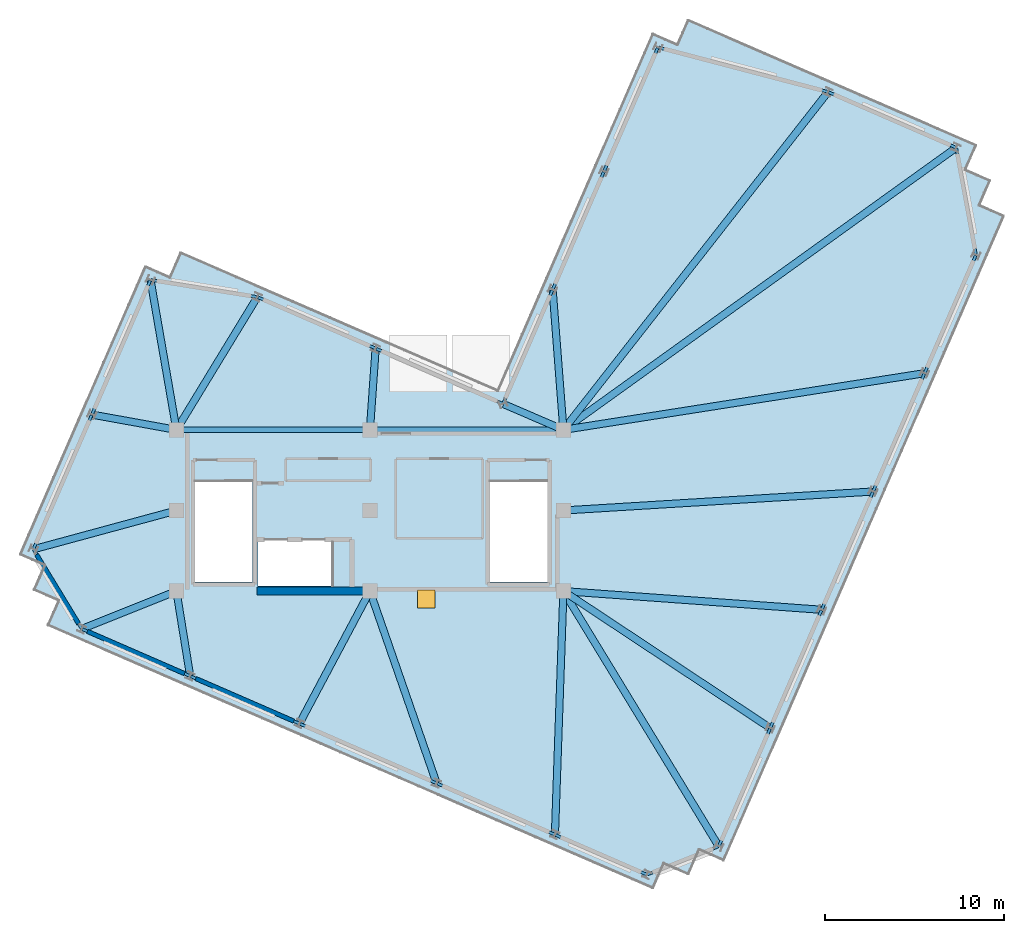
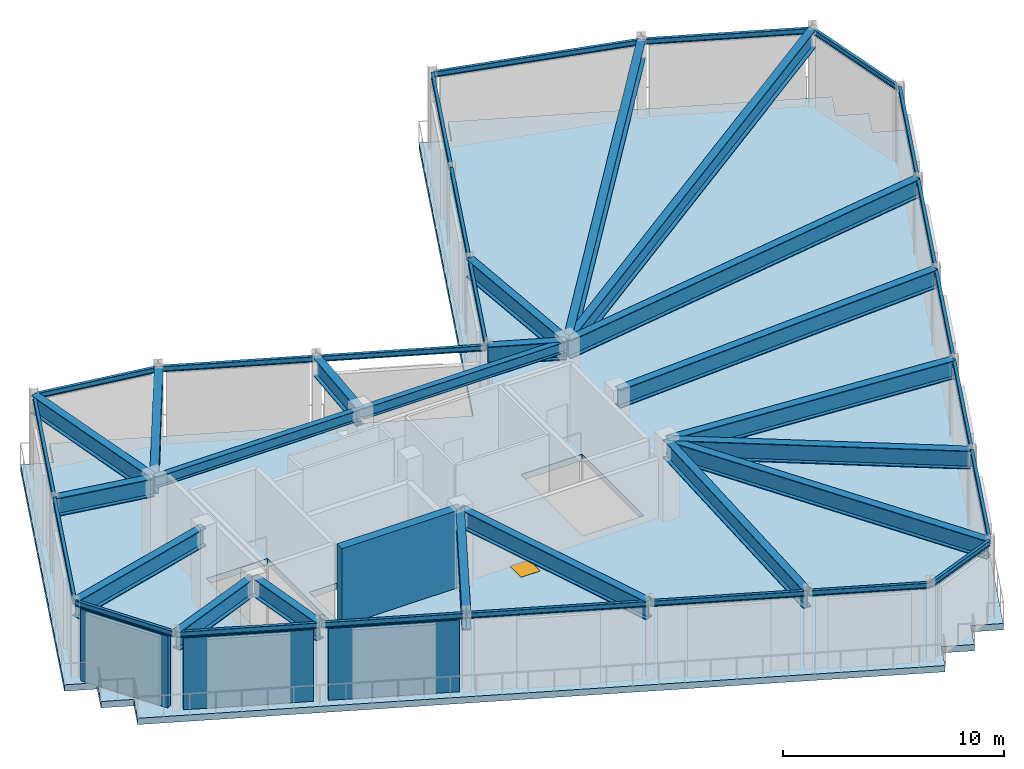
# One storey, part 4 of 7: 44 beams, 4 walls, 1 door, 1 slab, 1 opening.
"""IFC4 building model written with IfcOpenShell, lengths in metres."""

from ifc_helpers import new_model, si_unit, direction, frame, frame_2d, origin, origin_2d, place, context, subcontext, project, spatial, polyline, rectangle, i_section, outline, extrude, material, layer, layer_set, material_profile, profile_set, type_object, element, fill, save


model = new_model("IFC4")

# Units and contexts
model_context = context("Model", 3, precision=1e-05, world=origin(), true_north=direction((0.0, 1.0)))
body_context = subcontext(model_context, "Body", "Model", "MODEL_VIEW")
ifc_project = project(units=[si_unit("LENGTHUNIT", "METRE"), si_unit("AREAUNIT", "SQUARE_METRE"), si_unit("VOLUMEUNIT", "CUBIC_METRE"), si_unit("PLANEANGLEUNIT", "RADIAN"), si_unit("MASSUNIT", "GRAM", prefix="KILO")], contexts=[model_context])

# Site, building, storey
site_placement = place(None, origin())
site = spatial("IfcSite", under=ifc_project, at=site_placement, CompositionType="ELEMENT")
building_placement = place(site_placement, origin())
building = spatial("IfcBuilding", under=site, at=building_placement, Name="Gaonmaruhae Medical Tower", CompositionType="ELEMENT")
storey_placement = place(building_placement, frame((0.0, 0.0, 347.800048828125)))
storey = spatial("IfcBuildingStorey", under=building, at=storey_placement, Name="RF", CompositionType="ELEMENT", Elevation=347.800048828125)

# Beams
ifc_material_1 = material(Name="Steel SM420", Category="steel")
ifc_material_profile_1 = material_profile(ifc_material_1, i_section(OverallWidth=0.39990234375, OverallDepth=1.0, WebThickness=0.02197265625, FlangeThickness=0.035888671875, at=origin_2d()), Name="BH-1000x400x22x36")
ifc_profile_set_1 = profile_set([ifc_material_profile_1], Name="Steel SM420")
beam_type_1 = type_object("IfcBeamType", Name="BG-02 Refuge Floor Primary Girder (BH-1000x400x22x36)", PredefinedType="BEAM", material=ifc_profile_set_1)
beam_1_placement = place(storey_placement, frame((35.6259765625, 7.75732421875, 3.780029296875), z_axis=(0.520036625826, -0.854143961988, 0.0), x_axis=(0.854143961988, 0.520036625826, 0.0)))
element("IfcBeam", 1, at=beam_1_placement, inside=storey, type_object=beam_type_1, Name="RF Crown Radial Roof Girder S01", PredefinedType="BEAM", context=body_context, shape_type="SweptSolid", body=[
    extrude(i_section(OverallWidth=0.39990234375, OverallDepth=1.0, WebThickness=0.02197265625, FlangeThickness=0.035888671875, at=origin_2d()), origin(), (0.0, 0.0, 1.0), 16.58154296875),
])
beam_2_placement = place(storey_placement, frame((35.6416015625, 7.7724609375, 3.780029296875), z_axis=(0.833770161097, -0.552111690208, 0.0), x_axis=(0.552111690208, 0.833770161097, 0.0)))
element("IfcBeam", 2, at=beam_2_placement, inside=storey, type_object=beam_type_1, Name="RF Crown Radial Roof Girder S02", PredefinedType="BEAM", context=body_context, shape_type="SweptSolid", body=[
    extrude(i_section(OverallWidth=0.39990234375, OverallDepth=1.0, WebThickness=0.02197265625, FlangeThickness=0.035888671875, at=origin_2d()), origin(), (0.0, 0.0, 1.0), 13.748291015625),
])
beam_3_placement = place(storey_placement, frame((35.64990234375, 7.79638671875, 3.780029296875), z_axis=(0.997394062708, -0.072146265841, 0.0), x_axis=(0.072146265841, 0.997394062708, 0.0)))
element("IfcBeam", 3, at=beam_3_placement, inside=storey, type_object=beam_type_1, Name="RF Crown Radial Roof Girder S03", PredefinedType="BEAM", context=body_context, shape_type="SweptSolid", body=[
    extrude(i_section(OverallWidth=0.39990234375, OverallDepth=1.0, WebThickness=0.02197265625, FlangeThickness=0.035888671875, at=origin_2d()), origin(), (0.0, 0.0, 1.0), 14.354736328125),
])
beam_4_placement = place(storey_placement, frame((35.64990234375, 12.302978515625, 3.780029296875), z_axis=(0.998125311209, 0.061203456791, 0.0), x_axis=(-0.061203456791, 0.998125311209, 0.0)))
element("IfcBeam", 4, at=beam_4_placement, inside=storey, type_object=beam_type_1, Name="RF Crown Radial Roof Girder S04", PredefinedType="BEAM", context=body_context, shape_type="SweptSolid", body=[
    extrude(i_section(OverallWidth=0.39990234375, OverallDepth=1.0, WebThickness=0.02197265625, FlangeThickness=0.035888671875, at=origin_2d()), origin(), (0.0, 0.0, 1.0), 17.220458984375),
])
beam_5_placement = place(storey_placement, frame((35.6494140625, 16.807861328125, 3.780029296875), z_axis=(0.987915736395, 0.15499192812, 0.0), x_axis=(-0.15499192812, 0.987915736395, 0.0)))
element("IfcBeam", 5, at=beam_5_placement, inside=storey, type_object=beam_type_1, Name="RF Crown Radial Roof Girder S05", PredefinedType="BEAM", context=body_context, shape_type="SweptSolid", body=[
    extrude(i_section(OverallWidth=0.39990234375, OverallDepth=1.0, WebThickness=0.02197265625, FlangeThickness=0.035888671875, at=origin_2d()), origin(), (0.0, 0.0, 1.0), 20.3056640625),
])
beam_6_placement = place(storey_placement, frame((35.640625, 16.8291015625, 3.780029296875), z_axis=(0.812127869731, 0.583479496818, 0.0), x_axis=(-0.583479496818, 0.812127869731, 0.0)))
element("IfcBeam", 6, at=beam_6_placement, inside=storey, type_object=beam_type_1, Name="RF Crown Radial Roof Girder E01", PredefinedType="BEAM", context=body_context, shape_type="SweptSolid", body=[
    extrude(i_section(OverallWidth=0.39990234375, OverallDepth=1.0, WebThickness=0.02197265625, FlangeThickness=0.035888671875, at=origin_2d()), origin(), (0.0, 0.0, 1.0), 26.89794921875),
])
beam_7_placement = place(storey_placement, frame((35.630859375, 16.83935546875, 3.780029296875), z_axis=(0.616575305367, 0.78729593725, 0.0), x_axis=(-0.78729593725, 0.616575305367, 0.0)))
element("IfcBeam", 7, at=beam_7_placement, inside=storey, type_object=beam_type_1, Name="RF Crown Radial Roof Girder E02", PredefinedType="BEAM", context=body_context, shape_type="SweptSolid", body=[
    extrude(i_section(OverallWidth=0.39990234375, OverallDepth=1.0, WebThickness=0.02197265625, FlangeThickness=0.035888671875, at=origin_2d()), origin(), (0.0, 0.0, 1.0), 23.859130859375),
])
beam_8_placement = place(storey_placement, frame((35.59619140625, 16.849853515625, 3.780029296875), z_axis=(-0.076722992115, 0.997052447207, 0.0), x_axis=(-0.997052447207, -0.076722992115, 0.0)))
element("IfcBeam", 8, at=beam_8_placement, inside=storey, type_object=beam_type_1, Name="RF Crown Radial Roof Girder EN02", PredefinedType="BEAM", context=body_context, shape_type="SweptSolid", body=[
    extrude(i_section(OverallWidth=0.39990234375, OverallDepth=1.0, WebThickness=0.02197265625, FlangeThickness=0.035888671875, at=origin_2d()), origin(), (0.0, 0.0, 1.0), 7.751708984375),
])
beam_9_placement = place(storey_placement, frame((35.55419921875, 16.81982421875, 3.780029296875), z_axis=(-0.918259431029, 0.395979314266, 0.0), x_axis=(-0.395979314266, -0.918259431029, 0.0)))
element("IfcBeam", 9, at=beam_9_placement, inside=storey, type_object=beam_type_1, Name="RF Crown Radial Roof Girder KN01", PredefinedType="BEAM", context=body_context, shape_type="SweptSolid", body=[
    extrude(i_section(OverallWidth=0.39990234375, OverallDepth=1.0, WebThickness=0.02197265625, FlangeThickness=0.035888671875, at=origin_2d()), origin(), (0.0, 0.0, 1.0), 3.57421875),
])
beam_10_placement = place(storey_placement, frame((24.803466796875, 16.849853515625, 3.780029296875), z_axis=(0.070012845455, 0.997546089898, 0.0), x_axis=(-0.997546089898, 0.070012845455, 0.0)))
element("IfcBeam", 10, at=beam_10_placement, inside=storey, type_object=beam_type_1, Name="RF Crown Radial Roof Girder NE01", PredefinedType="BEAM", context=body_context, shape_type="SweptSolid", body=[
    extrude(i_section(OverallWidth=0.39990234375, OverallDepth=1.0, WebThickness=0.02197265625, FlangeThickness=0.035888671875, at=origin_2d()), origin(), (0.0, 0.0, 1.0), 4.45654296875),
])
beam_11_placement = place(storey_placement, frame((14.026123046875, 16.8427734375, 3.780029296875), z_axis=(0.520106658264, 0.854101319534, 0.0), x_axis=(-0.854101319534, 0.520106658264, 0.0)))
element("IfcBeam", 11, at=beam_11_placement, inside=storey, type_object=beam_type_1, Name="RF Crown Radial Roof Girder NE02", PredefinedType="BEAM", context=body_context, shape_type="SweptSolid", body=[
    extrude(i_section(OverallWidth=0.39990234375, OverallDepth=1.0, WebThickness=0.02197265625, FlangeThickness=0.035888671875, at=origin_2d()), origin(), (0.0, 0.0, 1.0), 8.5830078125),
])
beam_12_placement = place(storey_placement, frame((13.991455078125, 16.849365234375, 3.780029296875), z_axis=(-0.170256429826, 0.985399791, 0.0), x_axis=(-0.985399791, -0.170256429826, 0.0)))
element("IfcBeam", 12, at=beam_12_placement, inside=storey, type_object=beam_type_1, Name="RF Crown Radial Roof Girder N01", PredefinedType="BEAM", context=body_context, shape_type="SweptSolid", body=[
    extrude(i_section(OverallWidth=0.39990234375, OverallDepth=1.0, WebThickness=0.02197265625, FlangeThickness=0.035888671875, at=origin_2d()), origin(), (0.0, 0.0, 1.0), 8.397216796875),
])
beam_13_placement = place(storey_placement, frame((13.95068359375, 16.808837890625, 3.780029296875), z_axis=(-0.984016905829, 0.17807506575, 0.0), x_axis=(-0.17807506575, -0.984016905829, 0.0)))
element("IfcBeam", 13, at=beam_13_placement, inside=storey, type_object=beam_type_1, Name="RF Crown Radial Roof Girder N02", PredefinedType="BEAM", context=body_context, shape_type="SweptSolid", body=[
    extrude(i_section(OverallWidth=0.39990234375, OverallDepth=1.0, WebThickness=0.02197265625, FlangeThickness=0.035888671875, at=origin_2d()), origin(), (0.0, 0.0, 1.0), 4.69287109375),
])
beam_14_placement = place(storey_placement, frame((13.95166015625, 12.286865234375, 3.780029296875), z_axis=(-0.965122679795, -0.261798038467, 0.0), x_axis=(0.261798038467, -0.965122679795, 0.0)))
element("IfcBeam", 14, at=beam_14_placement, inside=storey, type_object=beam_type_1, Name="RF Crown Radial Roof Girder N03", PredefinedType="BEAM", context=body_context, shape_type="SweptSolid", body=[
    extrude(i_section(OverallWidth=0.39990234375, OverallDepth=1.0, WebThickness=0.02197265625, FlangeThickness=0.035888671875, at=origin_2d()), origin(), (0.0, 0.0, 1.0), 8.1748046875),
])
beam_15_placement = place(storey_placement, frame((13.95361328125, 7.781494140625, 3.780029296875), z_axis=(-0.928579037594, -0.371134707272, 0.0), x_axis=(0.371134707272, -0.928579037594, 0.0)))
element("IfcBeam", 15, at=beam_15_placement, inside=storey, type_object=beam_type_1, Name="RF Crown Radial Roof Girder W01", PredefinedType="BEAM", context=body_context, shape_type="SweptSolid", body=[
    extrude(i_section(OverallWidth=0.39990234375, OverallDepth=1.0, WebThickness=0.02197265625, FlangeThickness=0.035888671875, at=origin_2d()), origin(), (0.0, 0.0, 1.0), 5.591552734375),
])
beam_16_placement = place(storey_placement, frame((14.008056640625, 7.750732421875, 3.780029296875), z_axis=(0.159685869984, -0.987167879809, 0.0), x_axis=(0.987167879809, 0.159685869984, 0.0)))
element("IfcBeam", 16, at=beam_16_placement, inside=storey, type_object=beam_type_1, Name="RF Crown Radial Roof Girder W02", PredefinedType="BEAM", context=body_context, shape_type="SweptSolid", body=[
    extrude(i_section(OverallWidth=0.39990234375, OverallDepth=1.0, WebThickness=0.02197265625, FlangeThickness=0.035888671875, at=origin_2d()), origin(), (0.0, 0.0, 1.0), 4.705810546875),
])
beam_17_placement = place(storey_placement, frame((24.776611328125, 7.755859375, 3.780029296875), z_axis=(-0.469618843189, -0.882869266722, 0.0), x_axis=(0.882869266722, -0.469618843189, 0.0)))
element("IfcBeam", 17, at=beam_17_placement, inside=storey, type_object=beam_type_1, Name="RF Crown Radial Roof Girder W03", PredefinedType="BEAM", context=body_context, shape_type="SweptSolid", body=[
    extrude(i_section(OverallWidth=0.39990234375, OverallDepth=1.0, WebThickness=0.02197265625, FlangeThickness=0.035888671875, at=origin_2d()), origin(), (0.0, 0.0, 1.0), 8.27685546875),
])
beam_18_placement = place(storey_placement, frame((24.81640625, 7.752685546875, 3.780029296875), z_axis=(0.327964362011, -0.944690095878, 0.0), x_axis=(0.944690095878, 0.327964362011, 0.0)))
element("IfcBeam", 18, at=beam_18_placement, inside=storey, type_object=beam_type_1, Name="RF Crown Radial Roof Girder W04", PredefinedType="BEAM", context=body_context, shape_type="SweptSolid", body=[
    extrude(i_section(OverallWidth=0.39990234375, OverallDepth=1.0, WebThickness=0.02197265625, FlangeThickness=0.035888671875, at=origin_2d()), origin(), (0.0, 0.0, 1.0), 11.253173828125),
])
beam_19_placement = place(storey_placement, frame((35.59814453125, 7.75, 3.780029296875), z_axis=(-0.034800997703, -0.99939426182, 0.0), x_axis=(0.99939426182, -0.034800997703, 0.0)))
element("IfcBeam", 19, at=beam_19_placement, inside=storey, type_object=beam_type_1, Name="RF Crown Radial Roof Girder W05", PredefinedType="BEAM", context=body_context, shape_type="SweptSolid", body=[
    extrude(i_section(OverallWidth=0.39990234375, OverallDepth=1.0, WebThickness=0.02197265625, FlangeThickness=0.035888671875, at=origin_2d()), origin(), (0.0, 0.0, 1.0), 13.504638671875),
])
ifc_material_2 = material(Name="Steel SM355", Category="steel")
ifc_material_profile_2 = material_profile(ifc_material_2, i_section(OverallWidth=0.14990234375, OverallDepth=0.300048828125, WebThickness=0.006591796875, FlangeThickness=0.009033203125, FilletRadius=0.012939453125, at=origin_2d()), Name="H-300x150x6.5x9")
ifc_profile_set_2 = profile_set([ifc_material_profile_2], Name="Steel SM355")
beam_type_2 = type_object("IfcBeamType", Name="FJ-03 Crown Cap & Terrace Ring Beam (H-300x150x6.5x9)", PredefinedType="JOIST", material=ifc_profile_set_2)
beam_20_placement = place(storey_placement, frame((44.291015625, -6.411865234375, 4.1298828125), z_axis=(0.398747426125, 0.917060788693, 0.0), x_axis=(-0.917060788693, 0.398747426125, 0.0)))
element("IfcBeam", 20, at=beam_20_placement, inside=storey, type_object=beam_type_2, Name="RF Perimeter Spandrel Beam S01-S02", PredefinedType="JOIST", context=body_context, shape_type="SweptSolid", body=[
    extrude(i_section(OverallWidth=0.14990234375, OverallDepth=0.300048828125, WebThickness=0.006591796875, FlangeThickness=0.009033203125, FilletRadius=0.012939453125, at=origin_2d()), origin(), (0.0, 0.0, 1.0), 7.1201171875),
])
beam_21_placement = place(storey_placement, frame((47.162109375, 0.191162109375, 4.1298828125), z_axis=(0.398759965154, 0.917055336493, 0.0), x_axis=(-0.917055336493, 0.398759965154, 0.0)))
element("IfcBeam", 21, at=beam_21_placement, inside=storey, type_object=beam_type_2, Name="RF Perimeter Spandrel Beam S02-S03", PredefinedType="JOIST", context=body_context, shape_type="SweptSolid", body=[
    extrude(i_section(OverallWidth=0.14990234375, OverallDepth=0.300048828125, WebThickness=0.006591796875, FlangeThickness=0.009033203125, FilletRadius=0.012939453125, at=origin_2d()), origin(), (0.0, 0.0, 1.0), 7.119873046875),
])
for number, where, z_axis, x_axis, name in (
    (22, (50.032958984375, 6.7939453125, 4.1298828125), (0.398747426125, 0.917060788693, 0.0), (-0.917060788693, 0.398747426125, 0.0), "RF Perimeter Spandrel Beam S03-S04"),
    (23, (52.904052734375, 13.396728515625, 4.1298828125), (0.398747426125, 0.917060788693, 0.0), (-0.917060788693, 0.398747426125, 0.0), "RF Perimeter Spandrel Beam S04-S05"),
):
    element("IfcBeam", number, at=place(storey_placement, frame(where, z_axis=z_axis, x_axis=x_axis)), inside=storey, type_object=beam_type_2, Name=name, PredefinedType="JOIST", context=body_context, shape_type="SweptSolid", body=[
        extrude(i_section(OverallWidth=0.14990234375, OverallDepth=0.300048828125, WebThickness=0.006591796875, FlangeThickness=0.009033203125, FilletRadius=0.012939453125, at=origin_2d()), origin(), (0.0, 0.0, 1.0), 7.1201171875),
    ])
beam_22_placement = place(storey_placement, frame((55.775146484375, 19.99951171875, 4.1298828125), z_axis=(0.398718588421, 0.917073327083, 0.0), x_axis=(-0.917073327083, 0.398718588421, 0.0)))
element("IfcBeam", 24, at=beam_22_placement, inside=storey, type_object=beam_type_2, Name="RF Perimeter Spandrel Beam S05-S06", PredefinedType="JOIST", context=body_context, shape_type="SweptSolid", body=[
    extrude(i_section(OverallWidth=0.14990234375, OverallDepth=0.300048828125, WebThickness=0.006591796875, FlangeThickness=0.009033203125, FilletRadius=0.012939453125, at=origin_2d()), origin(), (0.0, 0.0, 1.0), 7.119873046875),
])
beam_23_placement = place(storey_placement, frame((58.622802734375, 26.60498046875, 4.1298828125), z_axis=(-0.181402379506, 0.983408957001, 0.0), x_axis=(-0.983408957001, -0.181402379506, 0.0)))
element("IfcBeam", 25, at=beam_23_placement, inside=storey, type_object=beam_type_2, Name="RF Perimeter Spandrel Beam S06-E01", PredefinedType="JOIST", context=body_context, shape_type="SweptSolid", body=[
    extrude(i_section(OverallWidth=0.14990234375, OverallDepth=0.300048828125, WebThickness=0.006591796875, FlangeThickness=0.009033203125, FilletRadius=0.012939453125, at=origin_2d()), origin(), (0.0, 0.0, 1.0), 6.0078125),
])
beam_24_placement = place(storey_placement, frame((57.489013671875, 32.568603515625, 4.1298828125), z_axis=(-0.91705648068, 0.398757333778, 0.0), x_axis=(-0.398757333778, -0.91705648068, 0.0)))
element("IfcBeam", 26, at=beam_24_placement, inside=storey, type_object=beam_type_2, Name="RF Perimeter Spandrel Beam E01-E02", PredefinedType="JOIST", context=body_context, shape_type="SweptSolid", body=[
    extrude(i_section(OverallWidth=0.14990234375, OverallDepth=0.300048828125, WebThickness=0.006591796875, FlangeThickness=0.009033203125, FilletRadius=0.012939453125, at=origin_2d()), origin(), (0.0, 0.0, 1.0), 7.719970703125),
])
beam_25_placement = place(storey_placement, frame((50.333984375, 35.673095703125, 4.1298828125), z_axis=(-0.967227039177, 0.253913084904, 0.0), x_axis=(-0.253913084904, -0.967227039177, 0.0)))
element("IfcBeam", 27, at=beam_25_placement, inside=storey, type_object=beam_type_2, Name="RF Perimeter Spandrel Beam E02-E03", PredefinedType="JOIST", context=body_context, shape_type="SweptSolid", body=[
    extrude(i_section(OverallWidth=0.14990234375, OverallDepth=0.300048828125, WebThickness=0.006591796875, FlangeThickness=0.009033203125, FilletRadius=0.012939453125, at=origin_2d()), origin(), (0.0, 0.0, 1.0), 9.7353515625),
])
beam_26_placement = place(storey_placement, frame((40.863037109375, 38.118408203125, 4.1298828125), z_axis=(-0.398738062403, -0.917064860079, 0.0), x_axis=(0.917064860079, -0.398738062403, 0.0)))
element("IfcBeam", 28, at=beam_26_placement, inside=storey, type_object=beam_type_2, Name="RF Perimeter Spandrel Beam E03-EN01", PredefinedType="JOIST", context=body_context, shape_type="SweptSolid", body=[
    extrude(i_section(OverallWidth=0.14990234375, OverallDepth=0.300048828125, WebThickness=0.006591796875, FlangeThickness=0.009033203125, FilletRadius=0.012939453125, at=origin_2d()), origin(), (0.0, 0.0, 1.0), 7.469970703125),
])
beam_27_placement = place(storey_placement, frame((37.8525390625, 31.194580078125, 4.1298828125), z_axis=(-0.398759965154, -0.917055336493, 0.0), x_axis=(0.917055336493, -0.398759965154, 0.0)))
element("IfcBeam", 29, at=beam_27_placement, inside=storey, type_object=beam_type_2, Name="RF Perimeter Spandrel Beam EN01-EN02", PredefinedType="JOIST", context=body_context, shape_type="SweptSolid", body=[
    extrude(i_section(OverallWidth=0.14990234375, OverallDepth=0.300048828125, WebThickness=0.006591796875, FlangeThickness=0.009033203125, FilletRadius=0.012939453125, at=origin_2d()), origin(), (0.0, 0.0, 1.0), 7.119873046875),
])
beam_28_placement = place(storey_placement, frame((34.981689453125, 24.591796875, 4.1298828125), z_axis=(-0.398768993563, -0.917051410649, 0.0), x_axis=(0.917051410649, -0.398768993563, 0.0)))
element("IfcBeam", 30, at=beam_28_placement, inside=storey, type_object=beam_type_2, Name="RF Perimeter Spandrel Beam EN02-KN01", PredefinedType="JOIST", context=body_context, shape_type="SweptSolid", body=[
    extrude(i_section(OverallWidth=0.14990234375, OverallDepth=0.300048828125, WebThickness=0.006591796875, FlangeThickness=0.009033203125, FilletRadius=0.012939453125, at=origin_2d()), origin(), (0.0, 0.0, 1.0), 6.869873046875),
])
beam_29_placement = place(storey_placement, frame((32.189453125, 18.27099609375, 4.1298828125), z_axis=(-0.917059428629, 0.398750554059, 0.0), x_axis=(-0.398750554059, -0.917059428629, 0.0)))
element("IfcBeam", 31, at=beam_29_placement, inside=storey, type_object=beam_type_2, Name="RF Perimeter Spandrel Beam KN01-NE01", PredefinedType="JOIST", context=body_context, shape_type="SweptSolid", body=[
    extrude(i_section(OverallWidth=0.14990234375, OverallDepth=0.300048828125, WebThickness=0.006591796875, FlangeThickness=0.009033203125, FilletRadius=0.012939453125, at=origin_2d()), origin(), (0.0, 0.0, 1.0), 7.669921875),
])
beam_30_placement = place(storey_placement, frame((25.082275390625, 21.361083984375, 4.1298828125), z_axis=(-0.917055336493, 0.398759965154, 0.0), x_axis=(-0.398759965154, -0.917055336493, 0.0)))
element("IfcBeam", 32, at=beam_30_placement, inside=storey, type_object=beam_type_2, Name="RF Perimeter Spandrel Beam NE01-NE02", PredefinedType="JOIST", context=body_context, shape_type="SweptSolid", body=[
    extrude(i_section(OverallWidth=0.14990234375, OverallDepth=0.300048828125, WebThickness=0.006591796875, FlangeThickness=0.009033203125, FilletRadius=0.012939453125, at=origin_2d()), origin(), (0.0, 0.0, 1.0), 7.119873046875),
])
beam_31_placement = place(storey_placement, frame((18.4765625, 24.22265625, 4.1298828125), z_axis=(-0.987363817678, 0.158469844265, 0.0), x_axis=(-0.158469844265, -0.987363817678, 0.0)))
element("IfcBeam", 33, at=beam_31_placement, inside=storey, type_object=beam_type_2, Name="RF Perimeter Spandrel Beam NE02-N01", PredefinedType="JOIST", context=body_context, shape_type="SweptSolid", body=[
    extrude(i_section(OverallWidth=0.14990234375, OverallDepth=0.300048828125, WebThickness=0.006591796875, FlangeThickness=0.009033203125, FilletRadius=0.012939453125, at=origin_2d()), origin(), (0.0, 0.0, 1.0), 5.958984375),
])
for number, where, z_axis, x_axis, name in (
    (34, (12.537353515625, 25.13671875, 4.1298828125), (-0.398743701995, -0.917062407974, 0.0), (0.917062407974, -0.398743701995, 0.0), "RF Perimeter Spandrel Beam N01-N02"),
    (35, (9.267578125, 17.61669921875, 4.1298828125), (-0.398743701995, -0.917062407974, 0.0), (0.917062407974, -0.398743701995, 0.0), "RF Perimeter Spandrel Beam N02-N03"),
):
    element("IfcBeam", number, at=place(storey_placement, frame(where, z_axis=z_axis, x_axis=x_axis)), inside=storey, type_object=beam_type_2, Name=name, PredefinedType="JOIST", context=body_context, shape_type="SweptSolid", body=[
        extrude(i_section(OverallWidth=0.14990234375, OverallDepth=0.300048828125, WebThickness=0.006591796875, FlangeThickness=0.009033203125, FilletRadius=0.012939453125, at=origin_2d()), origin(), (0.0, 0.0, 1.0), 8.119873046875),
    ])
beam_32_placement = place(storey_placement, frame((6.034423828125, 10.099365234375, 4.1298828125), z_axis=(0.519289042516, -0.854598672081, 0.0), x_axis=(0.854598672081, 0.519289042516, 0.0)))
element("IfcBeam", 36, at=beam_32_placement, inside=storey, type_object=beam_type_2, Name="RF Perimeter Spandrel Beam N03-W01", PredefinedType="JOIST", context=body_context, shape_type="SweptSolid", body=[
    extrude(i_section(OverallWidth=0.14990234375, OverallDepth=0.300048828125, WebThickness=0.006591796875, FlangeThickness=0.009033203125, FilletRadius=0.012939453125, at=origin_2d()), origin(), (0.0, 0.0, 1.0), 5.122314453125),
])
beam_33_placement = place(storey_placement, frame((8.751708984375, 5.671630859375, 4.1298828125), z_axis=(0.917059935749, -0.398749387767, 0.0), x_axis=(0.398749387767, 0.917059935749, 0.0)))
element("IfcBeam", 37, at=beam_33_placement, inside=storey, type_object=beam_type_2, Name="RF Perimeter Spandrel Beam W01-W02", PredefinedType="JOIST", context=body_context, shape_type="SweptSolid", body=[
    extrude(i_section(OverallWidth=0.14990234375, OverallDepth=0.300048828125, WebThickness=0.006591796875, FlangeThickness=0.009033203125, FilletRadius=0.012939453125, at=origin_2d()), origin(), (0.0, 0.0, 1.0), 6.52001953125),
])
beam_34_placement = place(storey_placement, frame((14.80419921875, 3.0400390625, 4.1298828125), z_axis=(0.917056468028, -0.398757362876, 0.0), x_axis=(0.398757362876, 0.917056468028, 0.0)))
element("IfcBeam", 38, at=beam_34_placement, inside=storey, type_object=beam_type_2, Name="RF Perimeter Spandrel Beam W02-W03", PredefinedType="JOIST", context=body_context, shape_type="SweptSolid", body=[
    extrude(i_section(OverallWidth=0.14990234375, OverallDepth=0.300048828125, WebThickness=0.006591796875, FlangeThickness=0.009033203125, FilletRadius=0.012939453125, at=origin_2d()), origin(), (0.0, 0.0, 1.0), 6.570068359375),
])
beam_35_placement = place(storey_placement, frame((20.90283203125, 0.388427734375, 4.1298828125), z_axis=(0.917049404199, -0.398773607775, 0.0), x_axis=(0.398773607775, 0.917049404199, 0.0)))
element("IfcBeam", 39, at=beam_35_placement, inside=storey, type_object=beam_type_2, Name="RF Perimeter Spandrel Beam W03-W04", PredefinedType="JOIST", context=body_context, shape_type="SweptSolid", body=[
    extrude(i_section(OverallWidth=0.14990234375, OverallDepth=0.300048828125, WebThickness=0.006591796875, FlangeThickness=0.009033203125, FilletRadius=0.012939453125, at=origin_2d()), origin(), (0.0, 0.0, 1.0), 8.27001953125),
])
beam_36_placement = place(storey_placement, frame((28.560302734375, -2.941162109375, 4.1298828125), z_axis=(0.917055336493, -0.398759965154, 0.0), x_axis=(0.398759965154, 0.917055336493, 0.0)))
element("IfcBeam", 40, at=beam_36_placement, inside=storey, type_object=beam_type_2, Name="RF Perimeter Spandrel Beam W04-W05", PredefinedType="JOIST", context=body_context, shape_type="SweptSolid", body=[
    extrude(i_section(OverallWidth=0.14990234375, OverallDepth=0.300048828125, WebThickness=0.006591796875, FlangeThickness=0.009033203125, FilletRadius=0.012939453125, at=origin_2d()), origin(), (0.0, 0.0, 1.0), 7.119873046875),
])
beam_37_placement = place(storey_placement, frame((35.1630859375, -5.812255859375, 4.1298828125), z_axis=(0.917050366415, -0.398771394984, 0.0), x_axis=(0.398771394984, 0.917050366415, 0.0)))
element("IfcBeam", 41, at=beam_37_placement, inside=storey, type_object=beam_type_2, Name="RF Perimeter Spandrel Beam W05-W06", PredefinedType="JOIST", context=body_context, shape_type="SweptSolid", body=[
    extrude(i_section(OverallWidth=0.14990234375, OverallDepth=0.300048828125, WebThickness=0.006591796875, FlangeThickness=0.009033203125, FilletRadius=0.012939453125, at=origin_2d()), origin(), (0.0, 0.0, 1.0), 5.519775390625),
])
beam_38_placement = place(storey_placement, frame((40.299072265625, -8.0146484375, 4.1298828125), z_axis=(0.930416736169, 0.366503338397, 0.0), x_axis=(-0.366503338397, 0.930416736169, 0.0)))
element("IfcBeam", 42, at=beam_38_placement, inside=storey, type_object=beam_type_2, Name="RF Perimeter Spandrel Beam W06-S01", PredefinedType="JOIST", context=body_context, shape_type="SweptSolid", body=[
    extrude(i_section(OverallWidth=0.14990234375, OverallDepth=0.300048828125, WebThickness=0.006591796875, FlangeThickness=0.009033203125, FilletRadius=0.012939453125, at=origin_2d()), origin(), (0.0, 0.0, 1.0), 4.2333984375),
])
ifc_material_profile_3 = material_profile(ifc_material_1, i_section(OverallWidth=0.300048828125, OverallDepth=0.60009765625, WebThickness=0.011962890625, FlangeThickness=0.02001953125, FilletRadius=0.012939453125, at=origin_2d()), Name="H-600x300x12x20")
ifc_profile_set_3 = profile_set([ifc_material_profile_3], Name="Steel SM420")
beam_type_3 = type_object("IfcBeamType", Name="PG-04 Zone 4 Radial Floor Girder (H-600x300x12x20)", PredefinedType="BEAM", material=ifc_profile_set_3)
for number, where, z_axis, x_axis, name in (
    (43, (14.050048828125, 16.800048828125, 3.97998046875), (1.0, 0.0, 0.0), (0.0, 1.0, 0.0), "RF Beam BM-RF-CG-N1"),
    (44, (24.85009765625, 16.800048828125, 3.97998046875), (1.0, 0.0, 0.0), (0.0, 1.0, 0.0), "RF Beam BM-RF-CG-N2"),
):
    element("IfcBeam", number, at=place(storey_placement, frame(where, z_axis=z_axis, x_axis=x_axis)), inside=storey, type_object=beam_type_3, Name=name, PredefinedType="BEAM", context=body_context, shape_type="SweptSolid", body=[
        extrude(i_section(OverallWidth=0.300048828125, OverallDepth=0.60009765625, WebThickness=0.011962890625, FlangeThickness=0.02001953125, FilletRadius=0.012939453125, at=origin_2d()), origin(), (0.0, 0.0, 1.0), 10.699951171875),
    ])

# Slab, opening, door
ifc_material_3 = material(Name="Concrete C40/50", Category="concrete")
ifc_layer_1 = layer(ifc_material_3, 0.35009765625)
ifc_layer_set_1 = layer_set([ifc_layer_1], Name="Concrete C40/50")
slab_type = type_object("IfcSlabType", Name="RS-350 Helipad Structural Roof Deck Slab", PredefinedType="ROOF", material=ifc_layer_set_1)
slab_placement = place(storey_placement, frame((0.0, 0.0, -0.35009765625)))
slab = element("IfcSlab", 45, at=slab_placement, inside=storey, type_object=slab_type, Name="RF Structural Slab 1", PredefinedType="ROOF", context=body_context, shape_type="SweptSolid", body=[
    extrude(outline(polyline([(44.540283203125, -7.218017578125), (60.171142578125, 28.730712890625), (58.795654296875, 29.328857421875), (59.393798828125, 30.70458984375), (58.01806640625, 31.302490234375), (58.6162109375, 32.67822265625), (42.567626953125, 39.65625), (41.969482421875, 38.28076171875), (40.593994140625, 38.87890625), (31.941162109375, 18.978515625), (14.241943359375, 26.674560546875), (13.643798828125, 25.298828125), (12.268310546875, 25.89697265625), (5.2900390625, 9.848388671875), (6.665771484375, 9.25048828125), (6.0673828125, 7.874755859375), (7.443115234375, 7.276611328125), (6.844970703125, 5.901123046875), (40.5927734375, -8.77294921875), (41.19091796875, -7.397216796875), (42.56640625, -7.995361328125), (43.164794921875, -6.619873046875), (44.540283203125, -7.218017578125)]), holes=[polyline([(22.64990234375, 10.625), (22.64990234375, 8.074951171875), (18.550048828125, 8.074951171875), (18.550048828125, 10.625), (22.64990234375, 10.625)]), polyline([(15.050048828125, 8.300048828125), (15.050048828125, 13.889892578125), (18.25, 13.889892578125), (18.25, 8.300048828125), (15.050048828125, 8.300048828125)]), polyline([(31.5, 8.300048828125), (31.5, 13.889892578125), (34.699951171875, 13.889892578125), (34.699951171875, 8.300048828125), (31.5, 8.300048828125)])]), origin(), (0.0, 0.0, 1.0), 0.35009765625),
])
opening_placement = place(slab_placement, frame((27.9462890625, 7.36083984375, 0.0)))
opening = element("IfcOpeningElement", 46, at=opening_placement, cuts=slab, Name="Opening HT-01", PredefinedType="OPENING", context=body_context, shape_type="SweptSolid", body=[
    extrude(rectangle(XDim=1.0, YDim=1.0, at=origin_2d()), frame((0.0, 0.0, -0.010009765625)), (0.0, 0.0, 1.0), 0.3701171875),
])
ifc_material_4 = material(Name="Powder-coated steel access hatch", Category="steel")
door_type = type_object("IfcDoorType", Name="HT-01 Insulated Roof & Terrace Access Hatch 1000x1000", OperationType="NOTDEFINED", PredefinedType="TRAPDOOR", material=ifc_material_4)
door_placement = place(opening_placement, frame((0.0, 0.0, 0.31005859375)))
door = element("IfcDoor", 47, at=door_placement, inside=storey, type_object=door_type, Name="RF Main Roof Maintenance Access Hatch", OperationType="SINGLE_SWING_LEFT", OverallHeight=1.0, OverallWidth=1.0, PredefinedType="TRAPDOOR", context=body_context, shape_type="SweptSolid", body=[
    extrude(rectangle(XDim=1.0, YDim=1.0, at=origin_2d()), origin(), (0.0, 0.0, 1.0), 0.0400390625),
])
fill(opening, door)

# Walls
ifc_material_5 = material(Name="Concrete C50/60", Category="concrete")
ifc_layer_2 = layer(ifc_material_5, 0.449951171875)
ifc_layer_set_2 = layer_set([ifc_layer_2], Name="Concrete C50/60")
wall_type_1 = type_object("IfcWallType", Name="CW-450 Upper Core Shear Wall", PredefinedType="SHEAR", material=ifc_layer_set_2)
wall_1_placement = place(storey_placement, frame((18.5, 7.800048828125, 0.0), z_axis=(0.0, 0.0, 1.0), x_axis=(1.0, 0.0, 0.0)))
element("IfcWall", 48, at=wall_1_placement, inside=storey, type_object=wall_type_1, Name="RF Core Shear Wall CSW-S1", PredefinedType="SHEAR", context=body_context, shape_type="SweptSolid", body=[
    extrude(rectangle(XDim=6.300048828125, YDim=0.449951171875, at=frame_2d((3.14990234375, 0.0))), origin(), (0.0, 0.0, 1.0), 4.280029296875),
])
ifc_material_6 = material(Name="Precast concrete C45/55", Category="concrete")
ifc_layer_3 = layer(ifc_material_6, 0.239990234375)
ifc_layer_set_3 = layer_set([ifc_layer_3], Name="Precast concrete C45/55")
wall_type_2 = type_object("IfcWallType", Name="EW-240 Ribbon & Shelter Insulated Precast Wall", PredefinedType="SOLIDWALL", material=ifc_layer_set_3)
wall_2_placement = place(storey_placement, frame((8.537109375, 5.980712890625, 0.0), z_axis=(0.0, 0.0, 1.0), x_axis=(-0.519257401829, 0.854617897452, 0.0)))
element("IfcWall", 49, at=wall_2_placement, inside=storey, type_object=wall_type_2, Name="RF Crown Enclosure Screen Wall N03", PredefinedType="SOLIDWALL", context=body_context, shape_type="SweptSolid", body=[
    extrude(rectangle(XDim=4.516357421875, YDim=0.239990234375, at=frame_2d((2.25830078125, 0.0))), origin(), (0.0, 0.0, 1.0), 3.96484375),
])
wall_3_placement = place(storey_placement, frame((14.453125, 3.192626953125, 0.0), z_axis=(0.0, 0.0, 1.0), x_axis=(-0.91705693044, 0.398756299426, 0.0)))
element("IfcWall", 50, at=wall_3_placement, inside=storey, type_object=wall_type_2, Name="RF Crown Enclosure Screen Wall W01", PredefinedType="SOLIDWALL", context=body_context, shape_type="SweptSolid", body=[
    extrude(rectangle(XDim=5.914306640625, YDim=0.239990234375, at=frame_2d((2.95703125, 0.0))), origin(), (0.0, 0.0, 1.0), 3.96484375),
])
wall_4_placement = place(storey_placement, frame((20.5517578125, 0.541015625, 0.0), z_axis=(0.0, 0.0, 1.0), x_axis=(-0.917068103942, 0.3987306017, 0.0)))
element("IfcWall", 51, at=wall_4_placement, inside=storey, type_object=wall_type_2, Name="RF Crown Enclosure Screen Wall W02", PredefinedType="SOLIDWALL", context=body_context, shape_type="SweptSolid", body=[
    extrude(rectangle(XDim=5.96435546875, YDim=0.239990234375, at=frame_2d((2.982177734375, 0.0))), origin(), (0.0, 0.0, 1.0), 3.96484375),
])

save(model, "model.ifc")
